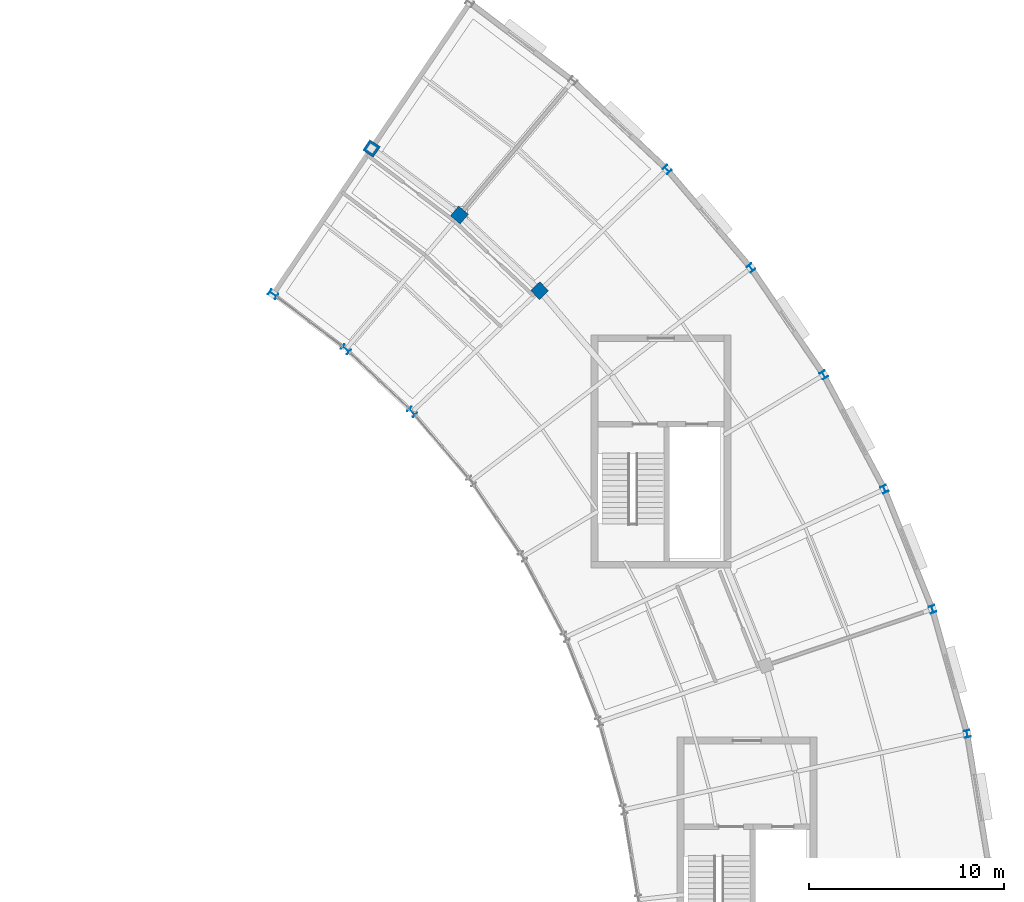
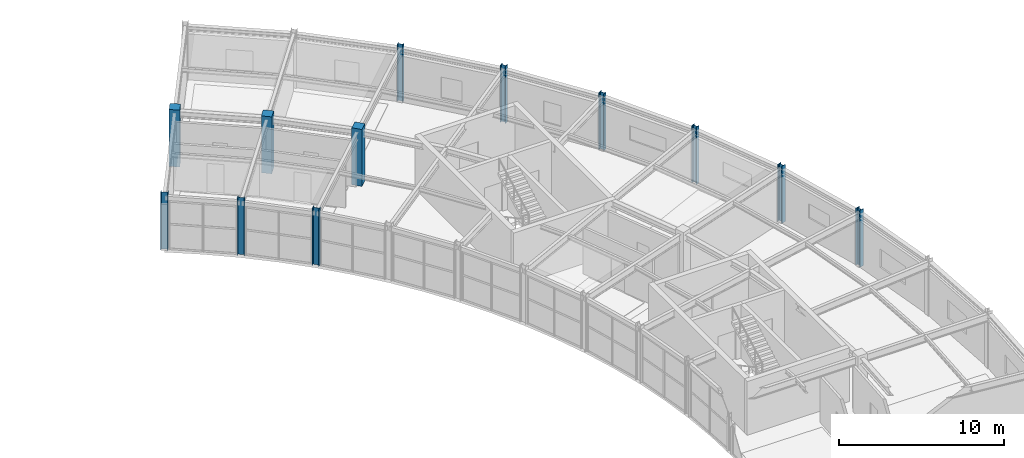
# One storey, part 9 of 63: 12 columns.
"""IFC4 building model written with IfcOpenShell, lengths in metres."""

from ifc_helpers import new_model, si_unit, direction, frame, origin, origin_2d, place, context, subcontext, project, spatial, rectangle, i_section, extrude, material, material_profile, profile_set, type_object, element, save


model = new_model("IFC4")

# Units and contexts
model_context = context("Model", 3, precision=1e-05, world=origin(), true_north=direction((0.0, 1.0)))
body_context = subcontext(model_context, "Body", "Model", "MODEL_VIEW")
ifc_project = project(units=[si_unit("LENGTHUNIT", "METRE"), si_unit("AREAUNIT", "SQUARE_METRE"), si_unit("VOLUMEUNIT", "CUBIC_METRE"), si_unit("PLANEANGLEUNIT", "RADIAN"), si_unit("MASSUNIT", "GRAM", prefix="KILO")], contexts=[model_context])

# Site, building, storey
site_placement = place(None, origin())
site = spatial("IfcSite", under=ifc_project, at=site_placement, CompositionType="ELEMENT")
building_placement = place(site_placement, origin())
building = spatial("IfcBuilding", under=site, at=building_placement, Name="Tarnveldt Headland Concert Hall", CompositionType="ELEMENT")
storey_placement = place(building_placement, frame((0.0, 0.0, 14.39990234375)))
storey = spatial("IfcBuildingStorey", under=building, at=storey_placement, Name="L03", CompositionType="ELEMENT", Elevation=14.39990234375)

# Columns
ifc_material_1 = material(Name="Concrete C40/50", Category="concrete")
ifc_material_profile_1 = material_profile(ifc_material_1, rectangle(XDim=0.64990234375, YDim=0.64990234375, at=origin_2d()), Name="RC 650x650", Category="concrete")
ifc_profile_set_1 = profile_set([ifc_material_profile_1], Name="Concrete C40/50")
column_type_1 = type_object("IfcColumnType", Name="CC-650", PredefinedType="COLUMN", material=ifc_profile_set_1)
for number, where, z_axis, x_axis, name in (
    (1, (155.184814453125, 95.8310546875, 0.0), (0.0, 0.0, 1.0), (0.724653130187, 0.689113808387, 0.0), "Column V3C16MD L03"),
    (2, (151.0791015625, 99.704345703125, 0.0), (0.0, 0.0, 1.0), (0.645724263505, 0.763570674869, 0.0), "Column V3C17MD L03"),
    (3, (146.577880859375, 103.110107421875, 0.0), (0.0, 0.0, 1.0), (0.559192903471, 0.829037572555, 0.0), "Column V3C18MD L03"),
):
    element("IfcColumn", number, at=place(storey_placement, frame(where, z_axis=z_axis, x_axis=x_axis)), inside=storey, type_object=column_type_1, Name=name, PredefinedType="COLUMN", context=body_context, shape_type="SweptSolid", body=[
        extrude(rectangle(XDim=0.64990234375, YDim=0.64990234375, at=origin_2d()), origin(), (0.0, 0.0, 1.0), 4.2001953125),
    ])
ifc_material_2 = material(Name="Steel S355", Category="steel")
ifc_material_profile_2 = material_profile(ifc_material_2, i_section(OverallWidth=0.300048828125, OverallDepth=0.360107421875, WebThickness=0.012451171875, FlangeThickness=0.0224609375, FilletRadius=0.027099609375, at=origin_2d()), Name="HEB360", Category="steel")
ifc_profile_set_2 = profile_set([ifc_material_profile_2], Name="Steel S355")
column_type_2 = type_object("IfcColumnType", Name="SC-HEB360", PredefinedType="COLUMN", material=ifc_profile_set_2)
for number, where, z_axis, x_axis, name in (
    (4, (177.06689453125, 73.14501953125, 0.0), (0.0, 0.0, 1.0), (0.976522126798, 0.215417120661, 0.0), "Column V3C11OUT L03"),
    (5, (175.291259765625, 79.523681640625, 0.0), (0.0, 0.0, 1.0), (0.947378020466, 0.320116988518, 0.0), "Column V3C12OUT L03"),
    (6, (172.834716796875, 85.672607421875, 0.0), (0.0, 0.0, 1.0), (0.907117485088, 0.42087749791, 0.0), "Column V3C13OUT L03"),
    (7, (169.726318359375, 91.518798828125, 0.0), (0.0, 0.0, 1.0), (0.856176919486, 0.516682767798, 0.0), "Column V3C14OUT L03"),
    (8, (166.00244140625, 96.993408203125, 0.0), (0.0, 0.0, 1.0), (0.795156077043, 0.60640482612, 0.0), "Column V3C15OUT L03"),
    (9, (161.70703125, 102.032470703125, 0.0), (0.0, 0.0, 1.0), (0.724653130187, 0.689113808387, 0.0), "Column V3C16OUT L03"),
):
    element("IfcColumn", number, at=place(storey_placement, frame(where, z_axis=z_axis, x_axis=x_axis)), inside=storey, type_object=column_type_2, Name=name, PredefinedType="COLUMN", context=body_context, shape_type="SweptSolid", body=[
        extrude(i_section(OverallWidth=0.300048828125, OverallDepth=0.360107421875, WebThickness=0.012451171875, FlangeThickness=0.0224609375, FilletRadius=0.027099609375, at=origin_2d()), origin(), (0.0, 0.0, 1.0), 4.2001953125),
    ])
ifc_material_profile_3 = material_profile(ifc_material_2, i_section(OverallWidth=0.300048828125, OverallDepth=0.449951171875, WebThickness=0.013916015625, FlangeThickness=0.02587890625, FilletRadius=0.027099609375, at=origin_2d()), Name="HEB450", Category="steel")
ifc_profile_set_3 = profile_set([ifc_material_profile_3], Name="Steel S355")
column_type_3 = type_object("IfcColumnType", Name="SC-HEB450", PredefinedType="COLUMN", material=ifc_profile_set_3)
for number, where, z_axis, x_axis, name in (
    (10, (148.662353515625, 89.62939453125, 0.0), (0.0, 0.0, 1.0), (0.724653130187, 0.689113808387, 0.0), "Column V3C16IN L03"),
    (11, (145.267333984375, 92.83251953125, 0.0), (0.0, 0.0, 1.0), (0.645724263505, 0.763570674869, 0.0), "Column V3C17IN L03"),
    (12, (141.54541015625, 95.648681640625, 0.0), (0.0, 0.0, 1.0), (0.559192903471, 0.829037572555, 0.0), "Column V3C18IN L03"),
):
    element("IfcColumn", number, at=place(storey_placement, frame(where, z_axis=z_axis, x_axis=x_axis)), inside=storey, type_object=column_type_3, Name=name, PredefinedType="COLUMN", context=body_context, shape_type="SweptSolid", body=[
        extrude(i_section(OverallWidth=0.300048828125, OverallDepth=0.449951171875, WebThickness=0.013916015625, FlangeThickness=0.02587890625, FilletRadius=0.027099609375, at=origin_2d()), origin(), (0.0, 0.0, 1.0), 4.2001953125),
    ])

save(model, "model.ifc")
